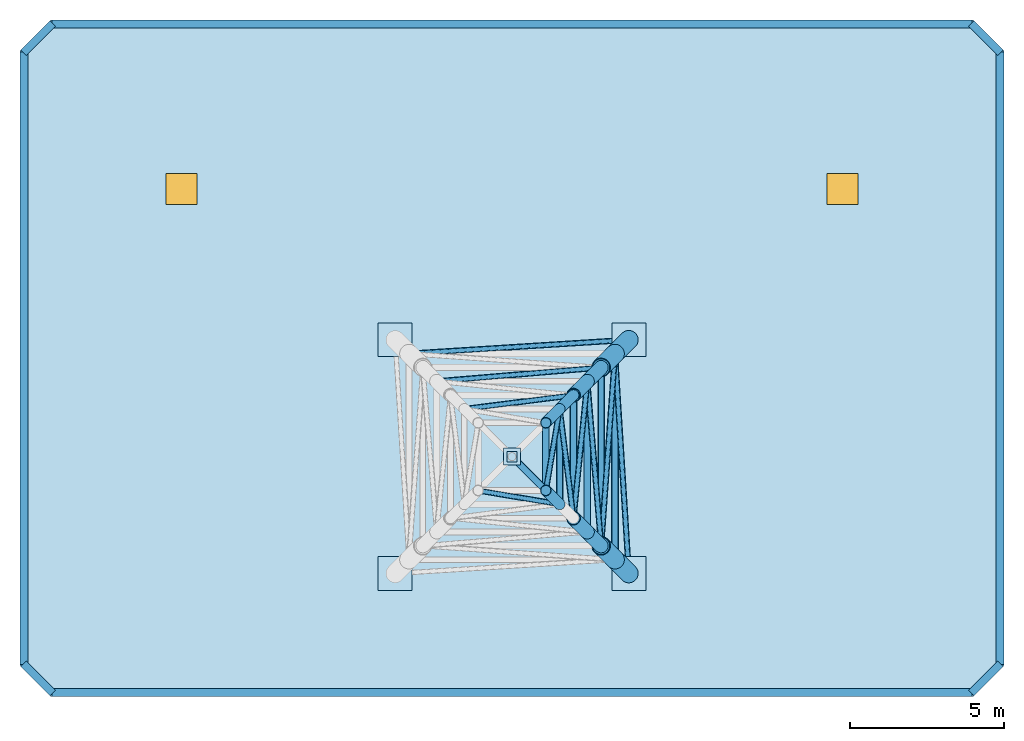
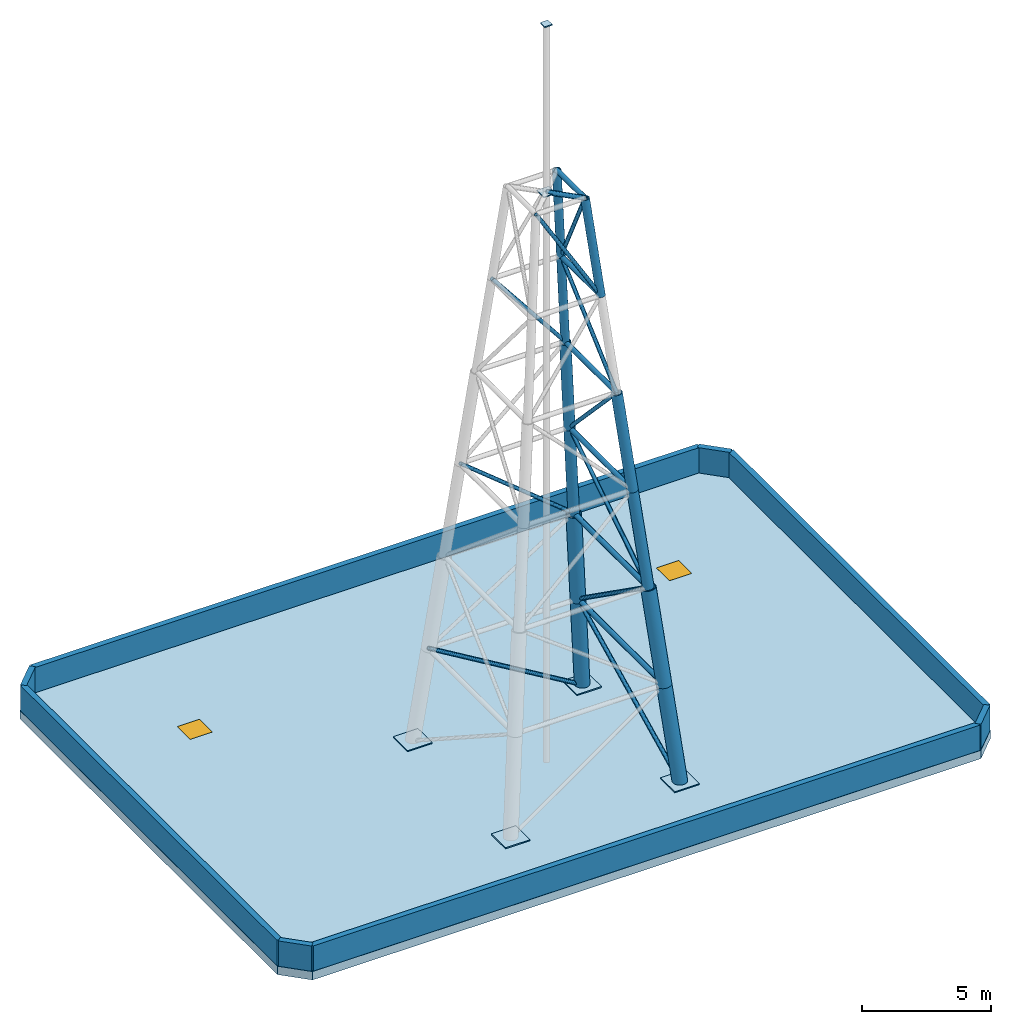
"""IFC4 building model written with IfcOpenShell, lengths in metres."""

import ifcopenshell
import ifcopenshell.guid

model = None  # the IFC model being written
_history = None  # IfcOwnerHistory: only IFC2X3 demands one
_inside = {}  # id of a spatial element -> (the spatial element, [elements in it])
_under = {}  # id of a project, library or spatial element -> (it, [spatial elements below it])
_declared = {}  # id of a project -> (the project, [libraries it declares])
_typed = {}  # id of a type object -> (the type object, [elements of that type])
_made_of = {}  # id of a material, layer set ... -> (it, [elements and type objects made of it])


def new_model(schema):
    """Start an empty IFC model of exactly this schema.

    Asked for "IFC4X3", IfcOpenShell would pick the latest addendum, in which some entities
    have other attributes; the version numbers below select the first issue.
    IFC2X3 requires an IfcOwnerHistory on every rooted entity: one is made here for all.
    """
    global model, _history
    if schema == "IFC4X3":
        model = ifcopenshell.file(schema_version=(4, 3, 0, 0))
    else:
        model = ifcopenshell.file(schema=schema)
    _inside.clear()
    _under.clear()
    _declared.clear()
    _typed.clear()
    _made_of.clear()
    _history = None
    if model.schema == "IFC2X3":
        org = make("IfcOrganization", Name="unknown")
        user = make(
            "IfcPersonAndOrganization",
            ThePerson=make("IfcPerson", FamilyName="unknown"),
            TheOrganization=org,
        )
        app = make(
            "IfcApplication",
            ApplicationDeveloper=org,
            Version="unknown",
            ApplicationFullName="unknown",
            ApplicationIdentifier="unknown",
        )
        _history = make(
            "IfcOwnerHistory",
            OwningUser=user,
            OwningApplication=app,
            ChangeAction="ADDED",
            CreationDate=0,
        )
    return model


def make(cls, **values):
    """One entity of the class cls with the attributes given. An attribute that is None is left unset."""
    return model.create_entity(
        cls, **{name: value for name, value in values.items() if value is not None}
    )


def rooted(cls, **values):
    """An entity with a GlobalId (a new one), such as an element, a storey or a relation."""
    return make(cls, GlobalId=ifcopenshell.guid.new(), OwnerHistory=_history, **values)


def si_unit(unit_type, name, prefix=None):
    """IfcSIUnit, for example si_unit("LENGTHUNIT", "METRE", prefix="MILLI")."""
    return make("IfcSIUnit", UnitType=unit_type, Prefix=prefix, Name=name)


def assignment(units):
    """IfcUnitAssignment: the units of a project."""
    return None if units is None else make("IfcUnitAssignment", Units=units)


def point(xyz):
    """IfcCartesianPoint."""
    return None if xyz is None else make("IfcCartesianPoint", Coordinates=xyz)


def direction(xyz):
    """IfcDirection."""
    return None if xyz is None else make("IfcDirection", DirectionRatios=xyz)


def frame(location, z_axis=None, x_axis=None):
    """IfcAxis2Placement3D, a coordinate frame: its origin and axes. An axis left out is left unset."""
    return make(
        "IfcAxis2Placement3D",
        Location=point(location),
        Axis=direction(z_axis),
        RefDirection=direction(x_axis),
    )


def frame_2d(location, x_axis=None):
    """IfcAxis2Placement2D, a coordinate frame in the plane: its origin and x axis."""
    return make(
        "IfcAxis2Placement2D", Location=point(location), RefDirection=direction(x_axis)
    )


def origin():
    """The frame at (0, 0, 0) with its axes left unset."""
    return frame((0.0, 0.0, 0.0))


def origin_2d():
    """The frame at (0, 0) in the plane with its x axis left unset."""
    return frame_2d((0.0, 0.0))


def place(relative_to, where):
    """IfcLocalPlacement: puts the frame where relative to a parent placement (None: the world)."""
    return make(
        "IfcLocalPlacement", PlacementRelTo=relative_to, RelativePlacement=where
    )


def context(
    kind, dimensions, precision=None, world=None, true_north=None, identifier=None
):
    """IfcGeometricRepresentationContext, for example the 3D "Model" context."""
    return make(
        "IfcGeometricRepresentationContext",
        ContextIdentifier=identifier,
        ContextType=kind,
        CoordinateSpaceDimension=dimensions,
        Precision=precision,
        WorldCoordinateSystem=world,
        TrueNorth=true_north,
    )


def subcontext(parent, identifier, kind, view, scale=None):
    """IfcGeometricRepresentationSubContext, for example "Body" below "Model"."""
    return make(
        "IfcGeometricRepresentationSubContext",
        ContextIdentifier=identifier,
        ContextType=kind,
        ParentContext=parent,
        TargetScale=scale,
        TargetView=view,
    )


def project(units=None, contexts=None):
    """IfcProject with its units and contexts."""
    return rooted(
        "IfcProject",
        Name="project",
        RepresentationContexts=contexts,
        UnitsInContext=assignment(units),
    )


def spatial(cls, under=None, at=None, **own):
    """A site, building, storey or space (cls), placed at a placement, below another one or the project."""
    s = rooted(cls, ObjectPlacement=at, **own)
    if under is not None:
        _under.setdefault(under.id(), (under, []))[1].append(s)
    return s


def polyline(points):
    """IfcPolyline through the points."""
    return make("IfcPolyline", Points=[point(p) for p in points])


def profile(cls, at=None, kind="AREA", **sizes):
    """A parametric profile (cls). Its sizes go by their IFC names, for example OverallWidth=200.0."""
    return make(cls, ProfileType=kind, Position=at, **sizes)


def rectangle(**sizes):
    """IfcRectangleProfileDef."""
    return profile("IfcRectangleProfileDef", **sizes)


def hollow_circle(**sizes):
    """IfcCircleHollowProfileDef."""
    return profile("IfcCircleHollowProfileDef", **sizes)


def outline(outer, holes=None, kind="AREA"):
    """IfcArbitraryClosedProfileDef: a profile drawn as a closed curve; with holes, ...WithVoids."""
    if holes is None:
        return make("IfcArbitraryClosedProfileDef", ProfileType=kind, OuterCurve=outer)
    return make(
        "IfcArbitraryProfileDefWithVoids",
        ProfileType=kind,
        OuterCurve=outer,
        InnerCurves=holes,
    )


def extrude(swept, where, along, depth):
    """IfcExtrudedAreaSolid: the profile swept, set in the frame where, extruded along a direction by depth."""
    return make(
        "IfcExtrudedAreaSolid",
        SweptArea=swept,
        Position=where,
        ExtrudedDirection=direction(along),
        Depth=depth,
    )


def shape(context_of_items, identifier, shape_type, items):
    """IfcShapeRepresentation: the items that make up one representation, for example the "Body"."""
    return make(
        "IfcShapeRepresentation",
        ContextOfItems=context_of_items,
        RepresentationIdentifier=identifier,
        RepresentationType=shape_type,
        Items=items,
    )


def material(Name=None, Category=None):
    """IfcMaterial."""
    return make("IfcMaterial", Name=Name, Category=Category)


def layer(
    of_material, thickness, ventilated=None, Name=None, Category=None, Priority=None
):
    """IfcMaterialLayer: one layer of a wall or slab, of a material (None: an air gap)."""
    return make(
        "IfcMaterialLayer",
        Material=of_material,
        LayerThickness=thickness,
        IsVentilated=ventilated,
        Name=Name,
        Category=Category,
        Priority=Priority,
    )


def layer_set(layers, Name=None):
    """IfcMaterialLayerSet."""
    return make("IfcMaterialLayerSet", MaterialLayers=layers, LayerSetName=Name)


def material_profile(
    of_material, cross_section, Name=None, Category=None, Priority=None
):
    """IfcMaterialProfile: a cross section and its material."""
    return make(
        "IfcMaterialProfile",
        Name=Name,
        Material=of_material,
        Profile=cross_section,
        Priority=Priority,
        Category=Category,
    )


def profile_set(profiles, Name=None, composite=None):
    """IfcMaterialProfileSet."""
    return make(
        "IfcMaterialProfileSet",
        Name=Name,
        MaterialProfiles=profiles,
        CompositeProfile=composite,
    )


def made_of(thing, what):
    """Note that an element or type object is made of a material, layer set ...; save() writes the relation."""
    if what is not None:
        _made_of.setdefault(what.id(), (what, []))[1].append(thing)
    return thing


def type_object(cls, material=None, **own):
    """A type object (cls), such as IfcWallType, which elements share."""
    return made_of(rooted(cls, **own), material)


def element(
    cls,
    number,
    at=None,
    inside=None,
    cuts=None,
    type_object=None,
    material=None,
    context=None,
    identifier="Body",
    shape_type=None,
    held_by="IfcProductDefinitionShape",
    body=None,
    shapes=None,
    **own,
):
    """One element of the class cls, such as IfcWall. Its Tag is "e" and its number.

    at: its placement. inside: the storey or other place that contains it. cuts: it is an
    opening in that element (IfcRelVoidsElement). A single representation is given by context,
    identifier, shape_type and body (its items); several are given by shapes. held_by: the class
    of the entity that holds the representations. save() writes the other relations.
    """
    e = rooted(cls, Tag="e%d" % number, ObjectPlacement=at, **own)
    if body is not None:
        shapes = [shape(context, identifier, shape_type, body)]
    if shapes is not None:
        e.Representation = make(held_by, Representations=shapes)
    if inside is not None:
        _inside.setdefault(inside.id(), (inside, []))[1].append(e)
    if cuts is not None:
        rooted(
            "IfcRelVoidsElement", RelatingBuildingElement=cuts, RelatedOpeningElement=e
        )
    if type_object is not None:
        _typed.setdefault(type_object.id(), (type_object, []))[1].append(e)
    return made_of(e, material)


def fill(opening, filler):
    """IfcRelFillsElement: the door or window that sits in an opening."""
    return rooted(
        "IfcRelFillsElement",
        RelatingOpeningElement=opening,
        RelatedBuildingElement=filler,
    )


def aggregate(whole, parts):
    """IfcRelAggregates: a whole, such as a stair, and the parts it consists of."""
    return rooted("IfcRelAggregates", RelatingObject=whole, RelatedObjects=parts)


def save(model, path):
    """Write the relations noted so far, then the file.

    IfcRelAggregates (storeys below a building ...), IfcRelContainedInSpatialStructure (elements
    in a storey), IfcRelDefinesByType, IfcRelAssociatesMaterial and IfcRelDeclares: one each for
    every whole, place, type object, material and project.
    """
    for whole, parts in _under.values():
        aggregate(whole, parts)
    for where, things in _inside.values():
        rooted(
            "IfcRelContainedInSpatialStructure",
            RelatedElements=things,
            RelatingStructure=where,
        )
    for kind, things in _typed.values():
        rooted("IfcRelDefinesByType", RelatedObjects=things, RelatingType=kind)
    for what, things in _made_of.values():
        rooted("IfcRelAssociatesMaterial", RelatedObjects=things, RelatingMaterial=what)
    for by, libraries in _declared.values():
        rooted("IfcRelDeclares", RelatingContext=by, RelatedDefinitions=libraries)
    model.write(path)


model = new_model("IFC4")

# Units and contexts
model_context = context("Model", 3, precision=1e-05, world=origin(), true_north=direction((0.0, 1.0)))
body_context = subcontext(model_context, "Body", "Model", "MODEL_VIEW")
ifc_project = project(units=[si_unit("LENGTHUNIT", "METRE"), si_unit("AREAUNIT", "SQUARE_METRE"), si_unit("VOLUMEUNIT", "CUBIC_METRE"), si_unit("PLANEANGLEUNIT", "RADIAN"), si_unit("MASSUNIT", "GRAM", prefix="KILO")], contexts=[model_context])

# Site, building, storey
site_placement = place(None, origin())
site = spatial("IfcSite", under=ifc_project, at=site_placement, CompositionType="ELEMENT")
building_placement = place(site_placement, origin())
building = spatial("IfcBuilding", under=site, at=building_placement, Name="Ventersveld Concourse Tower", CompositionType="ELEMENT")
storey_1_placement = place(building_placement, frame((0.0, 0.0, 393.64990234375)))
storey_1 = spatial("IfcBuildingStorey", under=building, at=storey_1_placement, Name="RF", CompositionType="ELEMENT", Elevation=393.64990234375)

# Members
ifc_material_1 = material(Name="Structural steel S355J2", Category="steel")
ifc_material_profile_1 = material_profile(ifc_material_1, hollow_circle(Radius=0.084228515625, WallThickness=0.008056640625, at=origin_2d()), Name="CHS 168.3x8")
ifc_profile_set_1 = profile_set([ifc_material_profile_1], Name="Structural steel S355J2")
member_type_1 = type_object("IfcMemberType", Name="MAST-BRC-168", PredefinedType="USERDEFINED", material=ifc_profile_set_1)
member_1_placement = place(storey_1_placement, frame((32.550048828125, 4.0, 0.0), z_axis=(-0.053184989636, 0.845130551537, 0.531907612031), x_axis=(-0.998025700959, -0.062806848558, 0.0)))
element("IfcMember", 1, at=member_1_placement, inside=storey_1, type_object=member_type_1, Name="Broadcast Mast Lattice Diagonal Brace T1-F2", ObjectType="MAST", PredefinedType="USERDEFINED", context=body_context, shape_type="SweptSolid", body=[
    extrude(hollow_circle(Radius=0.084228515625, WallThickness=0.008056640625, at=origin_2d()), origin(), (0.0, 0.0, 1.0), 8.460205078125),
])
member_2_placement = place(storey_1_placement, frame((32.550048828125, 11.60009765625, 0.0), z_axis=(-0.845137500079, -0.053212467994, 0.531893823248), x_axis=(0.062838655397, -0.998023698811, 0.0)))
element("IfcMember", 2, at=member_2_placement, inside=storey_1, type_object=member_type_1, Name="Broadcast Mast Lattice Diagonal Brace T1-F3", ObjectType="MAST", PredefinedType="USERDEFINED", context=body_context, shape_type="SweptSolid", body=[
    extrude(hollow_circle(Radius=0.084228515625, WallThickness=0.008056640625, at=origin_2d()), origin(), (0.0, 0.0, 1.0), 8.46044921875),
])
member_3_placement = place(storey_1_placement, frame((32.10009765625, 11.14990234375, 4.5), z_axis=(-0.058356214007, -0.810151344132, 0.583308967775), x_axis=(0.997415801263, -0.071845106935, 0.0)))
element("IfcMember", 3, at=member_3_placement, inside=storey_1, type_object=member_type_1, Name="Broadcast Mast Lattice Diagonal Brace T2-F2", ObjectType="MAST", PredefinedType="USERDEFINED", context=body_context, shape_type="SweptSolid", body=[
    extrude(hollow_circle(Radius=0.084228515625, WallThickness=0.008056640625, at=origin_2d()), origin(), (0.0, 0.0, 1.0), 7.714599609375),
])
member_4_placement = place(storey_1_placement, frame((31.64990234375, 4.89990234375, 9.0), z_axis=(-0.064228947287, 0.763707623901, 0.642359173302), x_axis=(-0.996482120558, -0.083805628739, 0.0)))
element("IfcMember", 4, at=member_4_placement, inside=storey_1, type_object=member_type_1, Name="Broadcast Mast Lattice Diagonal Brace T3-F2", ObjectType="MAST", PredefinedType="USERDEFINED", context=body_context, shape_type="SweptSolid", body=[
    extrude(hollow_circle(Radius=0.084228515625, WallThickness=0.008056640625, at=origin_2d()), origin(), (0.0, 0.0, 1.0), 7.00537109375),
])
member_5_placement = place(storey_1_placement, frame((31.64990234375, 10.699951171875, 9.0), z_axis=(-0.763693099471, -0.064230656794, 0.642376270225), x_axis=(0.083809426347, -0.996481801166, 0.0)))
element("IfcMember", 5, at=member_5_placement, inside=storey_1, type_object=member_type_1, Name="Broadcast Mast Lattice Diagonal Brace T3-F3", ObjectType="MAST", PredefinedType="USERDEFINED", context=body_context, shape_type="SweptSolid", body=[
    extrude(hollow_circle(Radius=0.084228515625, WallThickness=0.008056640625, at=origin_2d()), origin(), (0.0, 0.0, 1.0), 7.005126953125),
])
member_6_placement = place(storey_1_placement, frame((31.199951171875, 10.25, 13.5), z_axis=(-0.070918256977, -0.701371171956, 0.709259529352), x_axis=(0.994926874266, -0.100600769697, 0.0)))
element("IfcMember", 6, at=member_6_placement, inside=storey_1, type_object=member_type_1, Name="Broadcast Mast Lattice Diagonal Brace T4-F2", ObjectType="MAST", PredefinedType="USERDEFINED", context=body_context, shape_type="SweptSolid", body=[
    extrude(hollow_circle(Radius=0.084228515625, WallThickness=0.008056640625, at=origin_2d()), origin(), (0.0, 0.0, 1.0), 6.3447265625),
])
for number, where, z_axis, x_axis, name in (
    (7, (30.75, 5.800048828125, 18.0), (-0.078260896352, 0.617467006978, 0.782693891247), (-0.992063339908, -0.125739133172, 0.0), "Broadcast Mast Lattice Diagonal Brace T5-F2"),
    (8, (30.75, 9.800048828125, 18.0), (-0.617467006978, -0.078260896352, 0.782693891247), (0.125739133172, -0.992063339908, 0.0), "Broadcast Mast Lattice Diagonal Brace T5-F3"),
):
    element("IfcMember", number, at=place(storey_1_placement, frame(where, z_axis=z_axis, x_axis=x_axis)), inside=storey_1, type_object=member_type_1, Name=name, ObjectType="MAST", PredefinedType="USERDEFINED", context=body_context, shape_type="SweptSolid", body=[
        extrude(hollow_circle(Radius=0.084228515625, WallThickness=0.008056640625, at=origin_2d()), origin(), (0.0, 0.0, 1.0), 5.749267578125),
    ])
for number, where, z_axis, x_axis, name in (
    (9, (30.300048828125, 6.25, 22.5), (-0.505586233945, 0.085840205358, 0.858495206271), (-0.1673880496, -0.985891089751, 0.0), "Broadcast Mast Lattice Diagonal Brace T6-F1"),
    (10, (30.300048828125, 9.35009765625, 22.5), (-0.085840205358, -0.505586233945, 0.858495206271), (0.985891089751, -0.1673880496, 0.0), "Broadcast Mast Lattice Diagonal Brace T6-F2"),
):
    element("IfcMember", number, at=place(storey_1_placement, frame(where, z_axis=z_axis, x_axis=x_axis)), inside=storey_1, type_object=member_type_1, Name=name, ObjectType="MAST", PredefinedType="USERDEFINED", context=body_context, shape_type="SweptSolid", body=[
        extrude(hollow_circle(Radius=0.084228515625, WallThickness=0.008056640625, at=origin_2d()), origin(), (0.0, 0.0, 1.0), 5.24169921875),
    ])
ifc_material_profile_2 = material_profile(ifc_material_1, hollow_circle(Radius=0.109619140625, WallThickness=0.010009765625, at=origin_2d()), Name="CHS 219.1x10")
ifc_profile_set_2 = profile_set([ifc_material_profile_2], Name="Structural steel S355J2")
member_type_2 = type_object("IfcMemberType", Name="MAST-GRT-219", PredefinedType="USERDEFINED", material=ifc_profile_set_2)
member_7_placement = place(storey_1_placement, frame((32.10009765625, 4.449951171875, 4.5), z_axis=(0.0, 1.0, 0.0), x_axis=(-1.0, 0.0, 0.0)))
element("IfcMember", 11, at=member_7_placement, inside=storey_1, type_object=member_type_2, Name="Broadcast Mast Horizontal Girt T1-F2", ObjectType="MAST", PredefinedType="USERDEFINED", context=body_context, shape_type="SweptSolid", body=[
    extrude(hollow_circle(Radius=0.109619140625, WallThickness=0.010009765625, at=origin_2d()), origin(), (0.0, 0.0, 1.0), 6.699951171875),
])
member_8_placement = place(storey_1_placement, frame((31.64990234375, 4.89990234375, 9.0), z_axis=(0.0, 1.0, 0.0), x_axis=(-1.0, 0.0, 0.0)))
element("IfcMember", 12, at=member_8_placement, inside=storey_1, type_object=member_type_2, Name="Broadcast Mast Horizontal Girt T2-F2", ObjectType="MAST", PredefinedType="USERDEFINED", context=body_context, shape_type="SweptSolid", body=[
    extrude(hollow_circle(Radius=0.109619140625, WallThickness=0.010009765625, at=origin_2d()), origin(), (0.0, 0.0, 1.0), 5.800048828125),
])
member_9_placement = place(storey_1_placement, frame((31.199951171875, 5.35009765625, 13.5), z_axis=(0.0, 1.0, 0.0), x_axis=(-1.0, 0.0, 0.0)))
element("IfcMember", 13, at=member_9_placement, inside=storey_1, type_object=member_type_2, Name="Broadcast Mast Horizontal Girt T3-F2", ObjectType="MAST", PredefinedType="USERDEFINED", context=body_context, shape_type="SweptSolid", body=[
    extrude(hollow_circle(Radius=0.109619140625, WallThickness=0.010009765625, at=origin_2d()), origin(), (0.0, 0.0, 1.0), 4.89990234375),
])
member_10_placement = place(storey_1_placement, frame((30.75, 5.800048828125, 18.0), z_axis=(0.0, 1.0, 0.0), x_axis=(-1.0, 0.0, 0.0)))
element("IfcMember", 14, at=member_10_placement, inside=storey_1, type_object=member_type_2, Name="Broadcast Mast Horizontal Girt T4-F2", ObjectType="MAST", PredefinedType="USERDEFINED", context=body_context, shape_type="SweptSolid", body=[
    extrude(hollow_circle(Radius=0.109619140625, WallThickness=0.010009765625, at=origin_2d()), origin(), (0.0, 0.0, 1.0), 4.0),
])
member_11_placement = place(storey_1_placement, frame((30.300048828125, 6.25, 22.5), z_axis=(0.0, 1.0, 0.0), x_axis=(-1.0, 0.0, 0.0)))
element("IfcMember", 15, at=member_11_placement, inside=storey_1, type_object=member_type_2, Name="Broadcast Mast Horizontal Girt T5-F2", ObjectType="MAST", PredefinedType="USERDEFINED", context=body_context, shape_type="SweptSolid", body=[
    extrude(hollow_circle(Radius=0.109619140625, WallThickness=0.010009765625, at=origin_2d()), origin(), (0.0, 0.0, 1.0), 3.10009765625),
])
member_12_placement = place(storey_1_placement, frame((29.85009765625, 6.699951171875, 27.0), z_axis=(0.0, 1.0, 0.0), x_axis=(-1.0, 0.0, 0.0)))
element("IfcMember", 16, at=member_12_placement, inside=storey_1, type_object=member_type_2, Name="Broadcast Mast Horizontal Girt T6-F2", ObjectType="MAST", PredefinedType="USERDEFINED", context=body_context, shape_type="SweptSolid", body=[
    extrude(hollow_circle(Radius=0.109619140625, WallThickness=0.010009765625, at=origin_2d()), origin(), (0.0, 0.0, 1.0), 2.199951171875),
])
member_13_placement = place(storey_1_placement, frame((29.85009765625, 6.699951171875, 27.0), z_axis=(-0.707106781187, 0.707106781187, 0.0), x_axis=(-0.707106781187, -0.707106781187, 0.0)))
element("IfcMember", 17, at=member_13_placement, inside=storey_1, type_object=member_type_2, Name="Broadcast Mast Top Cap Split Cross-Tie 2A", ObjectType="MAST", PredefinedType="USERDEFINED", context=body_context, shape_type="SweptSolid", body=[
    extrude(hollow_circle(Radius=0.109619140625, WallThickness=0.010009765625, at=origin_2d()), origin(), (0.0, 0.0, 1.0), 1.5556640625),
])
ifc_material_profile_3 = material_profile(ifc_material_1, hollow_circle(Radius=0.177734375, WallThickness=0.01611328125, at=origin_2d()), Name="CHS 355.6x16")
ifc_profile_set_3 = profile_set([ifc_material_profile_3], Name="Structural steel S355J2")
member_type_3 = type_object("IfcMemberType", Name="MAST-LEG-355", PredefinedType="USERDEFINED", material=ifc_profile_set_3)
for number, where, z_axis, x_axis, name in (
    (18, (30.75, 9.800048828125, 18.0), (-0.099004221138, -0.099004221138, 0.990149649494), (0.707106781187, -0.707106781187, 0.0), "Broadcast Mast Corner Leg T5-L3"),
    (19, (30.300048828125, 6.25, 22.5), (-0.099004221138, 0.099004221138, 0.990149649494), (-0.707106781187, -0.707106781187, 0.0), "Broadcast Mast Corner Leg T6-L2"),
    (20, (30.300048828125, 9.35009765625, 22.5), (-0.099003694454, -0.099057413225, 0.990144382083), (0.707298538947, -0.70691497141, 0.0), "Broadcast Mast Corner Leg T6-L3"),
):
    element("IfcMember", number, at=place(storey_1_placement, frame(where, z_axis=z_axis, x_axis=x_axis)), inside=storey_1, type_object=member_type_3, Name=name, ObjectType="MAST", PredefinedType="USERDEFINED", context=body_context, shape_type="SweptSolid", body=[
        extrude(hollow_circle(Radius=0.177734375, WallThickness=0.01611328125, at=origin_2d()), origin(), (0.0, 0.0, 1.0), 4.544677734375),
    ])
ifc_material_profile_4 = material_profile(ifc_material_1, hollow_circle(Radius=0.228515625, WallThickness=0.02001953125, at=origin_2d()), Name="CHS 457x20")
ifc_profile_set_4 = profile_set([ifc_material_profile_4], Name="Structural steel S355J2")
member_type_4 = type_object("IfcMemberType", Name="MAST-LEG-457", PredefinedType="USERDEFINED", material=ifc_profile_set_4)
for number, where, z_axis, x_axis, name in (
    (21, (31.64990234375, 4.89990234375, 9.0), (-0.099003694454, 0.099057413225, 0.990144382083), (-0.707298538947, -0.70691497141, 0.0), "Broadcast Mast Corner Leg T3-L2"),
    (22, (31.64990234375, 10.699951171875, 9.0), (-0.099004221138, -0.099004221138, 0.990149649494), (0.707106781187, -0.707106781187, 0.0), "Broadcast Mast Corner Leg T3-L3"),
    (23, (31.199951171875, 5.35009765625, 13.5), (-0.099004221138, 0.099004221138, 0.990149649494), (-0.707106781187, -0.707106781187, 0.0), "Broadcast Mast Corner Leg T4-L2"),
    (24, (31.199951171875, 10.25, 13.5), (-0.099004221138, -0.099004221138, 0.990149649494), (0.707106781187, -0.707106781187, 0.0), "Broadcast Mast Corner Leg T4-L3"),
):
    element("IfcMember", number, at=place(storey_1_placement, frame(where, z_axis=z_axis, x_axis=x_axis)), inside=storey_1, type_object=member_type_4, Name=name, ObjectType="MAST", PredefinedType="USERDEFINED", context=body_context, shape_type="SweptSolid", body=[
        extrude(hollow_circle(Radius=0.228515625, WallThickness=0.02001953125, at=origin_2d()), origin(), (0.0, 0.0, 1.0), 4.544677734375),
    ])
ifc_material_profile_5 = material_profile(ifc_material_1, hollow_circle(Radius=0.304931640625, WallThickness=0.02490234375, at=origin_2d()), Name="CHS 610x25")
ifc_profile_set_5 = profile_set([ifc_material_profile_5], Name="Structural steel S355J2")
member_type_5 = type_object("IfcMemberType", Name="MAST-LEG-610", PredefinedType="USERDEFINED", material=ifc_profile_set_5)
for number, where, z_axis, x_axis, name in (
    (25, (32.550048828125, 4.0, 0.0), (-0.099004221138, 0.099004221138, 0.990149649494), (-0.707106781187, -0.707106781187, 0.0), "Broadcast Mast Corner Leg T1-L2"),
    (26, (32.550048828125, 11.60009765625, 0.0), (-0.099003694454, -0.099057413225, 0.990144382083), (0.707298538947, -0.70691497141, 0.0), "Broadcast Mast Corner Leg T1-L3"),
    (27, (32.10009765625, 4.449951171875, 4.5), (-0.099057413225, 0.099003694454, 0.990144382083), (-0.70691497141, -0.707298538947, 0.0), "Broadcast Mast Corner Leg T2-L2"),
    (28, (32.10009765625, 11.14990234375, 4.5), (-0.099057413225, -0.099003694454, 0.990144382083), (0.70691497141, -0.707298538947, 0.0), "Broadcast Mast Corner Leg T2-L3"),
):
    element("IfcMember", number, at=place(storey_1_placement, frame(where, z_axis=z_axis, x_axis=x_axis)), inside=storey_1, type_object=member_type_5, Name=name, ObjectType="MAST", PredefinedType="USERDEFINED", context=body_context, shape_type="SweptSolid", body=[
        extrude(hollow_circle(Radius=0.304931640625, WallThickness=0.02490234375, at=origin_2d()), origin(), (0.0, 0.0, 1.0), 4.544677734375),
    ])

# Plates
ifc_layer_1 = layer(ifc_material_1, 0.0400390625)
ifc_layer_set_1 = layer_set([ifc_layer_1], Name="Structural steel S355J2")
plate_type_1 = type_object("IfcPlateType", Name="PL-GUSSET-40", PredefinedType="USERDEFINED", material=ifc_layer_set_1)
plate_1_placement = place(storey_1_placement, frame((28.75, 7.800048828125, 26.97998046875), z_axis=(0.0, 0.0, 1.0), x_axis=(1.0, 0.0, 0.0)))
element("IfcPlate", 29, at=plate_1_placement, inside=storey_1, type_object=plate_type_1, Name="Broadcast Mast Top Cap X-Crossing Gusset Plate", ObjectType="GUSSET_PLATE", PredefinedType="USERDEFINED", context=body_context, shape_type="SweptSolid", body=[
    extrude(rectangle(XDim=0.550048828125, YDim=0.550048828125, at=origin_2d()), origin(), (0.0, 0.0, 1.0), 0.0400390625),
])
ifc_layer_2 = layer(ifc_material_1, 0.050048828125)
ifc_layer_set_2 = layer_set([ifc_layer_2], Name="Structural steel S355J2")
plate_type_2 = type_object("IfcPlateType", Name="PL-MAST-BASE-50", PredefinedType="USERDEFINED", material=ifc_layer_set_2)
for number, where, z_axis, x_axis, name in (
    (30, (24.949951171875, 4.0, 0.0), (0.0, 0.0, 1.0), (1.0, 0.0, 0.0), "Broadcast Mast Anchor Baseplate MBP1-1"),
    (31, (32.550048828125, 4.0, 0.0), (0.0, 0.0, 1.0), (1.0, 0.0, 0.0), "Broadcast Mast Anchor Baseplate MBP1-2"),
    (32, (32.550048828125, 11.60009765625, 0.0), (0.0, 0.0, 1.0), (1.0, 0.0, 0.0), "Broadcast Mast Anchor Baseplate MBP1-3"),
    (33, (24.949951171875, 11.60009765625, 0.0), (0.0, 0.0, 1.0), (1.0, 0.0, 0.0), "Broadcast Mast Anchor Baseplate MBP1-4"),
):
    element("IfcPlate", number, at=place(storey_1_placement, frame(where, z_axis=z_axis, x_axis=x_axis)), inside=storey_1, type_object=plate_type_2, Name=name, ObjectType="GUSSET_PLATE", PredefinedType="USERDEFINED", context=body_context, shape_type="SweptSolid", body=[
        extrude(rectangle(XDim=1.10009765625, YDim=1.10009765625, at=origin_2d()), origin(), (0.0, 0.0, 1.0), 0.050048828125),
    ])
plate_2_placement = place(storey_1_placement, frame((28.75, 7.800048828125, 34.9501953125), z_axis=(0.0, 0.0, 1.0), x_axis=(1.0, 0.0, 0.0)))
element("IfcPlate", 34, at=plate_2_placement, inside=storey_1, type_object=plate_type_2, Name="Broadcast Mast Spire Top Cap Plate", ObjectType="GUSSET_PLATE", PredefinedType="USERDEFINED", context=body_context, shape_type="SweptSolid", body=[
    extrude(rectangle(XDim=0.340087890625, YDim=0.340087890625, at=origin_2d()), origin(), (0.0, 0.0, 1.0), 0.050048828125),
])

# Slab, openings
ifc_material_2 = material(Name="Concrete C50/60", Category="concrete")
ifc_layer_3 = layer(ifc_material_2, 0.39990234375)
ifc_layer_set_3 = layer_set([ifc_layer_3], Name="Concrete C50/60")
slab_type = type_object("IfcSlabType", Name="SL-ROOF-400", PredefinedType="ROOF", material=ifc_layer_set_3)
slab_placement = place(storey_1_placement, frame((0.0, 0.0, -0.39990234375)))
slab = element("IfcSlab", 35, at=slab_placement, inside=storey_1, type_object=slab_type, Name="RF Maintenance Crown Mast Transfer Roof Slab", PredefinedType="ROOF", context=body_context, shape_type="SweptSolid", body=[
    extrude(outline(polyline([(13.75, 0.0), (43.75, 0.0), (44.75, 1.0), (44.75, 21.0), (43.75, 22.0), (13.75, 22.0), (12.75, 21.0), (12.75, 1.0), (13.75, 0.0)])), origin(), (0.0, 0.0, 1.0), 0.39990234375),
])
opening_1_placement = place(slab_placement, frame((18.0, 16.5, -0.010009765625)))
opening_1 = element("IfcOpeningElement", 36, at=opening_1_placement, cuts=slab, Name="Opening RH1", PredefinedType="OPENING", context=body_context, shape_type="SweptSolid", body=[
    extrude(rectangle(XDim=1.0, YDim=1.0, at=origin_2d()), origin(), (0.0, 0.0, 1.0), 0.419921875),
])
opening_2_placement = place(slab_placement, frame((39.5, 16.5, -0.010009765625)))
opening_2 = element("IfcOpeningElement", 37, at=opening_2_placement, cuts=slab, Name="Opening RH1", PredefinedType="OPENING", context=body_context, shape_type="SweptSolid", body=[
    extrude(rectangle(XDim=1.0, YDim=1.0, at=origin_2d()), origin(), (0.0, 0.0, 1.0), 0.419921875),
])

# Storey
storey_2_placement = place(building_placement, frame((0.0, 0.0, 388.25)))
storey_2 = spatial("IfcBuildingStorey", under=building, at=storey_2_placement, Name="L94", CompositionType="ELEMENT", Elevation=388.25)

# Door
ifc_material_3 = material(Name="Galvanised painted steel", Category="steel")
door_type = type_object("IfcDoorType", Name="HT-ROOF-100", OperationType="SINGLE_SWING_LEFT", PredefinedType="TRAPDOOR", material=ifc_material_3)
door_1_placement = place(slab_placement, frame((18.0, 16.5, 0.349853515625)))
door_1 = element("IfcDoor", 38, at=door_1_placement, inside=storey_2, type_object=door_type, Name="RF Roof Maintenance Access Hatch RH-07", OperationType="SINGLE_SWING_LEFT", OverallHeight=1.0, OverallWidth=1.0, PredefinedType="TRAPDOOR", context=body_context, shape_type="SweptSolid", body=[
    extrude(rectangle(XDim=1.0, YDim=1.0, at=origin_2d()), origin(), (0.0, 0.0, 1.0), 0.050048828125),
])

fill(opening_1, door_1)

door_2_placement = place(slab_placement, frame((39.5, 16.5, 0.349853515625)))
door_2 = element("IfcDoor", 39, at=door_2_placement, inside=storey_2, type_object=door_type, Name="RF Roof Maintenance Access Hatch RH-08", OperationType="SINGLE_SWING_LEFT", OverallHeight=1.0, OverallWidth=1.0, PredefinedType="TRAPDOOR", context=body_context, shape_type="SweptSolid", body=[
    extrude(rectangle(XDim=1.0, YDim=1.0, at=origin_2d()), origin(), (0.0, 0.0, 1.0), 0.050048828125),
])

fill(opening_2, door_2)

# Walls
ifc_material_4 = material(Name="Precast concrete C45/55", Category="concrete")
ifc_layer_4 = layer(ifc_material_4, 0.25)
ifc_layer_set_4 = layer_set([ifc_layer_4], Name="Precast concrete C45/55")
wall_type = type_object("IfcWallType", Name="WL-PARA-250", PredefinedType="PARAPET", material=ifc_layer_set_4)
wall_1_placement = place(storey_1_placement, frame((13.7900390625, 0.1298828125, 0.0), z_axis=(0.0, 0.0, 1.0), x_axis=(1.0, 0.0, 0.0)))
element("IfcWall", 40, at=wall_1_placement, inside=storey_1, type_object=wall_type, Name="RF Crown Roof Perimeter Parapet 1", PredefinedType="PARAPET", context=body_context, shape_type="SweptSolid", body=[
    extrude(rectangle(XDim=29.919921875, YDim=0.25, at=frame_2d((14.9599609375, 0.0))), origin(), (0.0, 0.0, 1.0), 1.2001953125),
])
wall_2_placement = place(storey_1_placement, frame((43.686279296875, 0.1201171875, 0.0), z_axis=(0.0, 0.0, 1.0), x_axis=(0.707106781187, 0.707106781187, 0.0)))
element("IfcWall", 41, at=wall_2_placement, inside=storey_1, type_object=wall_type, Name="RF Crown Roof Perimeter Parapet 2", PredefinedType="PARAPET", context=body_context, shape_type="SweptSolid", body=[
    extrude(rectangle(XDim=1.33447265625, YDim=0.25, at=frame_2d((0.667236328125, 0.0))), origin(), (0.0, 0.0, 1.0), 1.2001953125),
])
wall_3_placement = place(storey_1_placement, frame((44.6201171875, 1.0400390625, 0.0), z_axis=(0.0, 0.0, 1.0), x_axis=(0.0, 1.0, 0.0)))
element("IfcWall", 42, at=wall_3_placement, inside=storey_1, type_object=wall_type, Name="RF Crown Roof Perimeter Parapet 3", PredefinedType="PARAPET", context=body_context, shape_type="SweptSolid", body=[
    extrude(rectangle(XDim=19.919921875, YDim=0.25, at=frame_2d((9.9599609375, 0.0))), origin(), (0.0, 0.0, 1.0), 1.2001953125),
])
wall_4_placement = place(storey_1_placement, frame((44.6298828125, 20.936279296875, 0.0), z_axis=(0.0, 0.0, 1.0), x_axis=(-0.707106781187, 0.707106781187, 0.0)))
element("IfcWall", 43, at=wall_4_placement, inside=storey_1, type_object=wall_type, Name="RF Crown Roof Perimeter Parapet 4", PredefinedType="PARAPET", context=body_context, shape_type="SweptSolid", body=[
    extrude(rectangle(XDim=1.33447265625, YDim=0.25, at=frame_2d((0.667236328125, 0.0))), origin(), (0.0, 0.0, 1.0), 1.2001953125),
])
wall_5_placement = place(storey_1_placement, frame((43.7099609375, 21.8701171875, 0.0), z_axis=(0.0, 0.0, 1.0), x_axis=(-1.0, 0.0, 0.0)))
element("IfcWall", 44, at=wall_5_placement, inside=storey_1, type_object=wall_type, Name="RF Crown Roof Perimeter Parapet 5", PredefinedType="PARAPET", context=body_context, shape_type="SweptSolid", body=[
    extrude(rectangle(XDim=29.919921875, YDim=0.25, at=frame_2d((14.9599609375, 0.0))), origin(), (0.0, 0.0, 1.0), 1.2001953125),
])
wall_6_placement = place(storey_1_placement, frame((13.813720703125, 21.8798828125, 0.0), z_axis=(0.0, 0.0, 1.0), x_axis=(-0.707106781187, -0.707106781187, 0.0)))
element("IfcWall", 45, at=wall_6_placement, inside=storey_1, type_object=wall_type, Name="RF Crown Roof Perimeter Parapet 6", PredefinedType="PARAPET", context=body_context, shape_type="SweptSolid", body=[
    extrude(rectangle(XDim=1.33447265625, YDim=0.25, at=frame_2d((0.667236328125, 0.0))), origin(), (0.0, 0.0, 1.0), 1.2001953125),
])
wall_7_placement = place(storey_1_placement, frame((12.8798828125, 20.9599609375, 0.0), z_axis=(0.0, 0.0, 1.0), x_axis=(0.0, -1.0, 0.0)))
element("IfcWall", 46, at=wall_7_placement, inside=storey_1, type_object=wall_type, Name="RF Crown Roof Perimeter Parapet 7", PredefinedType="PARAPET", context=body_context, shape_type="SweptSolid", body=[
    extrude(rectangle(XDim=19.919921875, YDim=0.25, at=frame_2d((9.9599609375, 0.0))), origin(), (0.0, 0.0, 1.0), 1.2001953125),
])
wall_8_placement = place(storey_1_placement, frame((12.8701171875, 1.063720703125, 0.0), z_axis=(0.0, 0.0, 1.0), x_axis=(0.707106781187, -0.707106781187, 0.0)))
element("IfcWall", 47, at=wall_8_placement, inside=storey_1, type_object=wall_type, Name="RF Crown Roof Perimeter Parapet 8", PredefinedType="PARAPET", context=body_context, shape_type="SweptSolid", body=[
    extrude(rectangle(XDim=1.33447265625, YDim=0.25, at=frame_2d((0.667236328125, 0.0))), origin(), (0.0, 0.0, 1.0), 1.2001953125),
])

save(model, "model.ifc")
